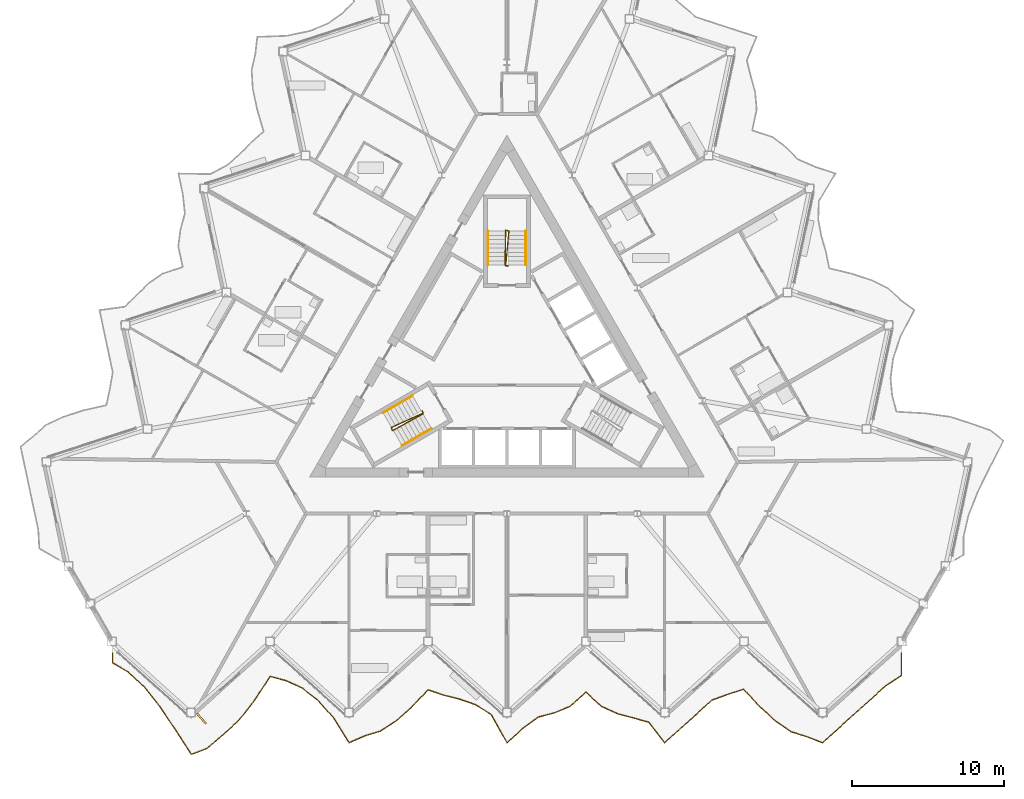
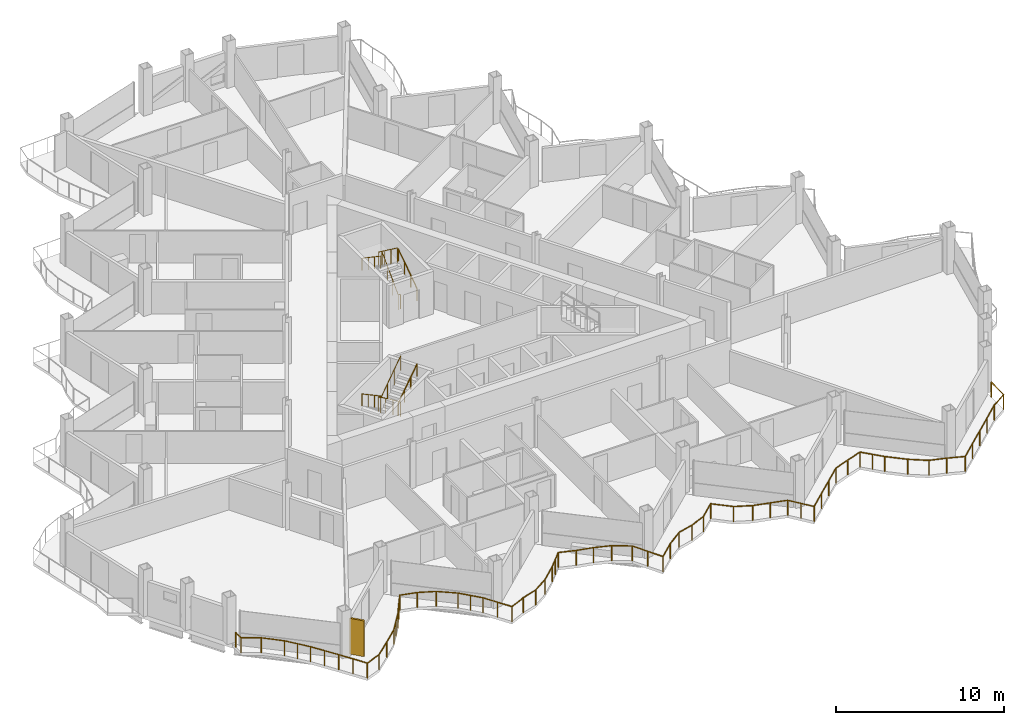
# One storey, part 22 of 26: 7 railings, 1 shading device.
"""IFC4 building model written with IfcOpenShell, lengths in metres."""

from ifc_helpers import new_model, si_unit, direction, frame, origin, origin_2d, place, context, subcontext, project, spatial, rectangle, circle, extrude, material, layer, layer_set, type_object, element, save


model = new_model("IFC4")

# Units and contexts
model_context = context("Model", 3, precision=1e-05, world=origin(), true_north=direction((0.0, 1.0)))
body_context = subcontext(model_context, "Body", "Model", "MODEL_VIEW")
ifc_project = project(units=[si_unit("LENGTHUNIT", "METRE"), si_unit("AREAUNIT", "SQUARE_METRE"), si_unit("VOLUMEUNIT", "CUBIC_METRE"), si_unit("PLANEANGLEUNIT", "RADIAN"), si_unit("MASSUNIT", "GRAM", prefix="KILO")], contexts=[model_context])

# Site, building, storey
site_placement = place(None, origin())
site = spatial("IfcSite", under=ifc_project, at=site_placement, CompositionType="ELEMENT")
building_placement = place(site_placement, origin())
building = spatial("IfcBuilding", under=site, at=building_placement, Name="Cormorant Prow Tower", CompositionType="ELEMENT")
storey_placement = place(building_placement, frame((0.0, 0.0, 322.199951171875)))
storey = spatial("IfcBuildingStorey", under=building, at=storey_placement, Name="L71", CompositionType="ELEMENT", Elevation=322.199951171875)

# Railings
ifc_material_1 = material(Name="Aluminium 6063-T6", Category="aluminium")
railing_type_1 = type_object("IfcRailingType", Name="Balcony guard 1100", PredefinedType="GUARDRAIL", material=ifc_material_1)
railing_1_placement = place(storey_placement, frame((-25.973388671875, -19.09814453125, 0.0)))
element("IfcRailing", 1, at=railing_1_placement, inside=storey, type_object=railing_type_1, Name="Balcony guard S", PredefinedType="GUARDRAIL", context=body_context, shape_type="SweptSolid", body=[
    extrude(circle(Radius=0.02392578125, at=origin_2d()), frame((0.0, 0.0, 1.076171875), z_axis=(0.0, -1.0, 0.0), x_axis=(1.0, 0.0, 0.0)), (0.0, 0.0, 1.0), 0.635986328125),
    extrude(circle(Radius=0.02392578125, at=origin_2d()), frame((0.0, -0.635986328125, 1.076171875), z_axis=(0.864404526024, -0.502796992223, 0.0), x_axis=(0.502796992223, 0.864404526024, 0.0)), (0.0, 0.0, 1.0), 1.20166015625),
    extrude(circle(Radius=0.02392578125, at=origin_2d()), frame((1.038818359375, -1.240234375, 1.076171875), z_axis=(0.734082243463, -0.679060571549, 0.0), x_axis=(0.679060571549, 0.734082243463, 0.0)), (0.0, 0.0, 1.0), 1.41552734375),
    extrude(circle(Radius=0.02392578125, at=origin_2d()), frame((2.077880859375, -2.201416015625, 1.076171875), z_axis=(0.621039347423, -0.783779387935, 0.0), x_axis=(0.783779387935, 0.621039347423, 0.0)), (0.0, 0.0, 1.0), 1.672607421875),
    extrude(circle(Radius=0.02392578125, at=origin_2d()), frame((3.11669921875, -3.512451171875, 1.076171875), z_axis=(0.55672153473, -0.830699183079, 0.0), x_axis=(0.830699183079, 0.55672153473, 0.0)), (0.0, 0.0, 1.0), 1.865966796875),
    extrude(circle(Radius=0.02392578125, at=origin_2d()), frame((4.155517578125, -5.0625, 1.076171875), z_axis=(0.542579782654, -0.840004273474, 0.0), x_axis=(0.840004273474, 0.542579782654, 0.0)), (0.0, 0.0, 1.0), 1.9150390625),
    extrude(circle(Radius=0.02392578125, at=origin_2d()), frame((5.194580078125, -6.671142578125, 1.076171875), z_axis=(0.932796459429, 0.360403614407, 0.0), x_axis=(-0.360403614407, 0.932796459429, 0.0)), (0.0, 0.0, 1.0), 1.11376953125),
    extrude(circle(Radius=0.02392578125, at=origin_2d()), frame((6.2333984375, -6.269775390625, 1.076171875), z_axis=(0.758287360731, 0.651920454162, 0.0), x_axis=(-0.651920454162, 0.758287360731, 0.0)), (0.0, 0.0, 1.0), 1.370361328125),
    extrude(circle(Radius=0.02392578125, at=origin_2d()), frame((7.2724609375, -5.37646484375, 1.076171875), z_axis=(0.743077017914, 0.669205906615, 0.0), x_axis=(-0.669205906615, 0.743077017914, 0.0)), (0.0, 0.0, 1.0), 1.39794921875),
    extrude(circle(Radius=0.02392578125, at=origin_2d()), frame((8.311279296875, -4.44091796875, 1.076171875), z_axis=(0.617097688735, 0.786886549992, 0.0), x_axis=(-0.786886549992, 0.617097688735, 0.0)), (0.0, 0.0, 1.0), 1.683837890625),
    extrude(circle(Radius=0.02392578125, at=origin_2d()), frame((9.350341796875, -3.115966796875, 1.076171875), z_axis=(0.547908224323, 0.836538449636, 0.0), x_axis=(-0.836538449636, 0.547908224323, 0.0)), (0.0, 0.0, 1.0), 1.896484375),
    extrude(circle(Radius=0.02392578125, at=origin_2d()), frame((10.389404296875, -1.529541015625, 1.076171875), z_axis=(0.96507717887, -0.261965720704, 0.0), x_axis=(0.261965720704, 0.96507717887, 0.0)), (0.0, 0.0, 1.0), 1.076416015625),
    extrude(circle(Radius=0.02392578125, at=origin_2d()), frame((11.42822265625, -1.8115234375, 1.076171875), z_axis=(0.910813015189, -0.412819150916, 0.0), x_axis=(0.412819150916, 0.910813015189, 0.0)), (0.0, 0.0, 1.0), 1.140869140625),
    extrude(circle(Radius=0.02392578125, at=origin_2d()), frame((12.46728515625, -2.282470703125, 1.076171875), z_axis=(0.793441260046, -0.608646832618, 0.0), x_axis=(0.608646832618, 0.793441260046, 0.0)), (0.0, 0.0, 1.0), 1.309326171875),
    extrude(circle(Radius=0.02392578125, at=origin_2d()), frame((13.506103515625, -3.079345703125, 1.076171875), z_axis=(0.666062428966, -0.745895998595, 0.0), x_axis=(0.745895998595, 0.666062428966, 0.0)), (0.0, 0.0, 1.0), 1.5595703125),
    extrude(circle(Radius=0.02392578125, at=origin_2d()), frame((14.544921875, -4.24267578125, 1.076171875), z_axis=(0.531772300644, -0.846887371655, 0.0), x_axis=(0.846887371655, 0.531772300644, 0.0)), (0.0, 0.0, 1.0), 1.953857421875),
    extrude(circle(Radius=0.02392578125, at=origin_2d()), frame((15.583984375, -5.8974609375, 1.076171875), z_axis=(0.915885416376, 0.401439788847, 0.0), x_axis=(-0.401439788847, 0.915885416376, 0.0)), (0.0, 0.0, 1.0), 1.13427734375),
    extrude(circle(Radius=0.02392578125, at=origin_2d()), frame((16.622802734375, -5.442138671875, 1.076171875), z_axis=(0.956630315258, 0.29130472006, 0.0), x_axis=(-0.29130472006, 0.956630315258, 0.0)), (0.0, 0.0, 1.0), 1.086181640625),
    extrude(circle(Radius=0.02392578125, at=origin_2d()), frame((17.661865234375, -5.125732421875, 1.076171875), z_axis=(0.834906973795, 0.550391083783, 0.0), x_axis=(-0.550391083783, 0.834906973795, 0.0)), (0.0, 0.0, 1.0), 1.244140625),
    extrude(circle(Radius=0.02392578125, at=origin_2d()), frame((18.70068359375, -4.44091796875, 1.076171875), z_axis=(0.743155211164, 0.669119071706, 0.0), x_axis=(-0.669119071706, 0.743155211164, 0.0)), (0.0, 0.0, 1.0), 1.398193359375),
    extrude(circle(Radius=0.02392578125, at=origin_2d()), frame((19.73974609375, -3.50537109375, 1.076171875), z_axis=(0.690691864093, 0.723149188533, 0.0), x_axis=(-0.723149188533, 0.690691864093, 0.0)), (0.0, 0.0, 1.0), 1.50439453125),
    extrude(circle(Radius=0.02392578125, at=origin_2d()), frame((20.77880859375, -2.41748046875, 1.076171875), z_axis=(0.947833420532, -0.318766069279, 0.0), x_axis=(0.318766069279, 0.947833420532, 0.0)), (0.0, 0.0, 1.0), 1.095947265625),
    extrude(circle(Radius=0.02392578125, at=origin_2d()), frame((21.817626953125, -2.766845703125, 1.076171875), z_axis=(0.970516923933, -0.241032986042, 0.0), x_axis=(0.241032986042, 0.970516923933, 0.0)), (0.0, 0.0, 1.0), 1.070556640625),
    extrude(circle(Radius=0.02392578125, at=origin_2d()), frame((22.856689453125, -3.02490234375, 1.076171875), z_axis=(0.94332138827, -0.331880638834, 0.0), x_axis=(0.331880638834, 0.94332138827, 0.0)), (0.0, 0.0, 1.0), 1.101318359375),
    extrude(circle(Radius=0.02392578125, at=origin_2d()), frame((23.8955078125, -3.390380859375, 1.076171875), z_axis=(0.851218522717, -0.524811420021, 0.0), x_axis=(0.524811420021, 0.851218522717, 0.0)), (0.0, 0.0, 1.0), 1.220703125),
    extrude(circle(Radius=0.02392578125, at=origin_2d()), frame((24.9345703125, -4.031005859375, 1.076171875), z_axis=(0.486322080627, -0.873779625475, 0.0), x_axis=(0.873779625475, 0.486322080627, 0.0)), (0.0, 0.0, 1.0), 2.135986328125),
    extrude(circle(Radius=0.02392578125, at=origin_2d()), frame((25.973388671875, -5.8974609375, 1.076171875), z_axis=(0.743077017914, 0.669205906615, 0.0), x_axis=(-0.669205906615, 0.743077017914, 0.0)), (0.0, 0.0, 1.0), 1.39794921875),
    extrude(circle(Radius=0.02392578125, at=origin_2d()), frame((27.01220703125, -4.9619140625, 1.076171875), z_axis=(0.807314654695, 0.590121214933, 0.0), x_axis=(-0.590121214933, 0.807314654695, 0.0)), (0.0, 0.0, 1.0), 1.287109375),
    extrude(circle(Radius=0.02392578125, at=origin_2d()), frame((28.05126953125, -4.202392578125, 1.076171875), z_axis=(0.968225799112, 0.250077591827, 0.0), x_axis=(-0.250077591827, 0.968225799112, 0.0)), (0.0, 0.0, 1.0), 1.072998046875),
    extrude(circle(Radius=0.02392578125, at=origin_2d()), frame((29.090087890625, -3.93408203125, 1.076171875), z_axis=(0.924407971279, 0.381405168601, 0.0), x_axis=(-0.381405168601, 0.924407971279, 0.0)), (0.0, 0.0, 1.0), 1.1240234375),
    extrude(circle(Radius=0.02392578125, at=origin_2d()), frame((30.129150390625, -3.50537109375, 1.076171875), z_axis=(0.743163863414, 0.669109461983, 0.0), x_axis=(-0.669109461983, 0.743163863414, 0.0)), (0.0, 0.0, 1.0), 1.39794921875),
    extrude(circle(Radius=0.02392578125, at=origin_2d()), frame((31.16796875, -2.570068359375, 1.076171875), z_axis=(0.74324204326, -0.669022619297, 0.0), x_axis=(0.669022619297, 0.74324204326, 0.0)), (0.0, 0.0, 1.0), 1.39794921875),
    extrude(circle(Radius=0.02392578125, at=origin_2d()), frame((32.20703125, -3.50537109375, 1.076171875), z_axis=(0.907659539898, -0.419707230855, 0.0), x_axis=(0.419707230855, 0.907659539898, 0.0)), (0.0, 0.0, 1.0), 1.144775390625),
    extrude(circle(Radius=0.02392578125, at=origin_2d()), frame((33.24609375, -3.98583984375, 1.076171875), z_axis=(0.966835704912, -0.255399138031, 0.0), x_axis=(0.255399138031, 0.966835704912, 0.0)), (0.0, 0.0, 1.0), 1.074462890625),
    extrude(circle(Radius=0.02392578125, at=origin_2d()), frame((34.284912109375, -4.26025390625, 1.076171875), z_axis=(0.962296538374, -0.272002522477, 0.0), x_axis=(0.272002522477, 0.962296538374, 0.0)), (0.0, 0.0, 1.0), 1.079833984375),
    extrude(circle(Radius=0.02392578125, at=origin_2d()), frame((35.323974609375, -4.553955078125, 1.076171875), z_axis=(0.611688866478, -0.791098432957, 0.0), x_axis=(0.791098432957, 0.611688866478, 0.0)), (0.0, 0.0, 1.0), 1.6982421875),
    extrude(circle(Radius=0.02392578125, at=origin_2d()), frame((36.36279296875, -5.8974609375, 1.076171875), z_axis=(0.743155211164, 0.669119071706, 0.0), x_axis=(-0.669119071706, 0.743155211164, 0.0)), (0.0, 0.0, 1.0), 1.398193359375),
    extrude(circle(Radius=0.02392578125, at=origin_2d()), frame((37.40185546875, -4.9619140625, 1.076171875), z_axis=(0.743077017914, 0.669205906615, 0.0), x_axis=(-0.669205906615, 0.743077017914, 0.0)), (0.0, 0.0, 1.0), 1.39794921875),
    extrude(circle(Radius=0.02392578125, at=origin_2d()), frame((38.440673828125, -4.0263671875, 1.076171875), z_axis=(0.743163863414, 0.669109461983, 0.0), x_axis=(-0.669109461983, 0.743163863414, 0.0)), (0.0, 0.0, 1.0), 1.39794921875),
    extrude(circle(Radius=0.02392578125, at=origin_2d()), frame((39.4794921875, -3.091064453125, 1.076171875), z_axis=(0.938985609291, 0.343956429719, 0.0), x_axis=(-0.343956429719, 0.938985609291, 0.0)), (0.0, 0.0, 1.0), 1.106689453125),
    extrude(circle(Radius=0.02392578125, at=origin_2d()), frame((40.5185546875, -2.71044921875, 1.076171875), z_axis=(0.951942396595, 0.306277118905, 0.0), x_axis=(-0.306277118905, 0.951942396595, 0.0)), (0.0, 0.0, 1.0), 1.09130859375),
    extrude(circle(Radius=0.02392578125, at=origin_2d()), frame((41.557373046875, -2.376220703125, 1.076171875), z_axis=(0.677142695524, -0.735851730921, 0.0), x_axis=(0.735851730921, 0.677142695524, 0.0)), (0.0, 0.0, 1.0), 1.534423828125),
    extrude(circle(Radius=0.02392578125, at=origin_2d()), frame((42.596435546875, -3.50537109375, 1.076171875), z_axis=(0.743155211164, -0.669119071706, 0.0), x_axis=(0.669119071706, 0.743155211164, 0.0)), (0.0, 0.0, 1.0), 1.398193359375),
    extrude(circle(Radius=0.02392578125, at=origin_2d()), frame((43.635498046875, -4.44091796875, 1.076171875), z_axis=(0.818734427702, -0.574172393011, 0.0), x_axis=(0.574172393011, 0.818734427702, 0.0)), (0.0, 0.0, 1.0), 1.268798828125),
    extrude(circle(Radius=0.02392578125, at=origin_2d()), frame((44.67431640625, -5.16943359375, 1.076171875), z_axis=(0.95313144312, -0.302556527175, 0.0), x_axis=(0.302556527175, 0.95313144312, 0.0)), (0.0, 0.0, 1.0), 1.090087890625),
    extrude(circle(Radius=0.02392578125, at=origin_2d()), frame((45.71337890625, -5.499267578125, 1.076171875), z_axis=(0.93375222919, -0.35792006717, 0.0), x_axis=(0.35792006717, 0.93375222919, 0.0)), (0.0, 0.0, 1.0), 1.112548828125),
    extrude(circle(Radius=0.02392578125, at=origin_2d()), frame((46.752197265625, -5.8974609375, 1.076171875), z_axis=(0.743155211164, 0.669119071706, 0.0), x_axis=(-0.669119071706, 0.743155211164, 0.0)), (0.0, 0.0, 1.0), 1.398193359375),
    extrude(circle(Radius=0.02392578125, at=origin_2d()), frame((47.791259765625, -4.9619140625, 1.076171875), z_axis=(0.743077017914, 0.669205906615, 0.0), x_axis=(-0.669205906615, 0.743077017914, 0.0)), (0.0, 0.0, 1.0), 1.39794921875),
    extrude(circle(Radius=0.02392578125, at=origin_2d()), frame((48.830078125, -4.0263671875, 1.076171875), z_axis=(0.743163863414, 0.669109461983, 0.0), x_axis=(-0.669109461983, 0.743163863414, 0.0)), (0.0, 0.0, 1.0), 1.39794921875),
    extrude(circle(Radius=0.02392578125, at=origin_2d()), frame((49.868896484375, -3.091064453125, 1.076171875), z_axis=(0.743155211164, 0.669119071706, 0.0), x_axis=(-0.669119071706, 0.743155211164, 0.0)), (0.0, 0.0, 1.0), 1.398193359375),
    extrude(circle(Radius=0.02392578125, at=origin_2d()), frame((50.907958984375, -2.155517578125, 1.076171875), z_axis=(0.835267618493, 0.54984361913, 0.0), x_axis=(-0.54984361913, 0.835267618493, 0.0)), (0.0, 0.0, 1.0), 1.24365234375),
    extrude(circle(Radius=0.02392578125, at=origin_2d()), frame((51.94677734375, -1.4716796875, 1.076171875), z_axis=(0.0, 1.0, 0.0), x_axis=(-1.0, 0.0, 0.0)), (0.0, 0.0, 1.0), 1.4716796875),
    extrude(circle(Radius=0.02099609375, at=origin_2d()), origin(), (0.0, 0.0, 1.0), 1.052001953125),
    extrude(circle(Radius=0.02099609375, at=origin_2d()), frame((0.0, -0.635986328125, 0.0)), (0.0, 0.0, 1.0), 1.052001953125),
    extrude(circle(Radius=0.02099609375, at=origin_2d()), frame((1.038818359375, -1.240234375, 0.0)), (0.0, 0.0, 1.0), 1.052001953125),
    extrude(circle(Radius=0.02099609375, at=origin_2d()), frame((2.077880859375, -2.201416015625, 0.0)), (0.0, 0.0, 1.0), 1.052001953125),
    extrude(circle(Radius=0.02099609375, at=origin_2d()), frame((2.59716796875, -2.85693359375, 0.0)), (0.0, 0.0, 1.0), 1.052001953125),
    extrude(circle(Radius=0.02099609375, at=origin_2d()), frame((3.11669921875, -3.512451171875, 0.0)), (0.0, 0.0, 1.0), 1.052001953125),
    extrude(circle(Radius=0.02099609375, at=origin_2d()), frame((3.63623046875, -4.28759765625, 0.0)), (0.0, 0.0, 1.0), 1.052001953125),
    extrude(circle(Radius=0.02099609375, at=origin_2d()), frame((4.155517578125, -5.0625, 0.0)), (0.0, 0.0, 1.0), 1.052001953125),
    extrude(circle(Radius=0.02099609375, at=origin_2d()), frame((4.675048828125, -5.86669921875, 0.0)), (0.0, 0.0, 1.0), 1.052001953125),
    extrude(circle(Radius=0.02099609375, at=origin_2d()), frame((5.194580078125, -6.671142578125, 0.0)), (0.0, 0.0, 1.0), 1.052001953125),
    extrude(circle(Radius=0.02099609375, at=origin_2d()), frame((6.2333984375, -6.269775390625, 0.0)), (0.0, 0.0, 1.0), 1.052001953125),
    extrude(circle(Radius=0.02099609375, at=origin_2d()), frame((7.2724609375, -5.37646484375, 0.0)), (0.0, 0.0, 1.0), 1.052001953125),
    extrude(circle(Radius=0.02099609375, at=origin_2d()), frame((8.311279296875, -4.44091796875, 0.0)), (0.0, 0.0, 1.0), 1.052001953125),
    extrude(circle(Radius=0.02099609375, at=origin_2d()), frame((8.830810546875, -3.7783203125, 0.0)), (0.0, 0.0, 1.0), 1.052001953125),
    extrude(circle(Radius=0.02099609375, at=origin_2d()), frame((9.350341796875, -3.115966796875, 0.0)), (0.0, 0.0, 1.0), 1.052001953125),
    extrude(circle(Radius=0.02099609375, at=origin_2d()), frame((9.869873046875, -2.32275390625, 0.0)), (0.0, 0.0, 1.0), 1.052001953125),
    extrude(circle(Radius=0.02099609375, at=origin_2d()), frame((10.389404296875, -1.529541015625, 0.0)), (0.0, 0.0, 1.0), 1.052001953125),
    extrude(circle(Radius=0.02099609375, at=origin_2d()), frame((11.42822265625, -1.8115234375, 0.0)), (0.0, 0.0, 1.0), 1.052001953125),
    extrude(circle(Radius=0.02099609375, at=origin_2d()), frame((12.46728515625, -2.282470703125, 0.0)), (0.0, 0.0, 1.0), 1.052001953125),
    extrude(circle(Radius=0.02099609375, at=origin_2d()), frame((13.506103515625, -3.079345703125, 0.0)), (0.0, 0.0, 1.0), 1.052001953125),
    extrude(circle(Radius=0.02099609375, at=origin_2d()), frame((14.025390625, -3.6611328125, 0.0)), (0.0, 0.0, 1.0), 1.052001953125),
    extrude(circle(Radius=0.02099609375, at=origin_2d()), frame((14.544921875, -4.24267578125, 0.0)), (0.0, 0.0, 1.0), 1.052001953125),
    extrude(circle(Radius=0.02099609375, at=origin_2d()), frame((15.064453125, -5.070068359375, 0.0)), (0.0, 0.0, 1.0), 1.052001953125),
    extrude(circle(Radius=0.02099609375, at=origin_2d()), frame((15.583984375, -5.8974609375, 0.0)), (0.0, 0.0, 1.0), 1.052001953125),
    extrude(circle(Radius=0.02099609375, at=origin_2d()), frame((16.622802734375, -5.442138671875, 0.0)), (0.0, 0.0, 1.0), 1.052001953125),
    extrude(circle(Radius=0.02099609375, at=origin_2d()), frame((17.661865234375, -5.125732421875, 0.0)), (0.0, 0.0, 1.0), 1.052001953125),
    extrude(circle(Radius=0.02099609375, at=origin_2d()), frame((18.70068359375, -4.44091796875, 0.0)), (0.0, 0.0, 1.0), 1.052001953125),
    extrude(circle(Radius=0.02099609375, at=origin_2d()), frame((19.73974609375, -3.50537109375, 0.0)), (0.0, 0.0, 1.0), 1.052001953125),
    extrude(circle(Radius=0.02099609375, at=origin_2d()), frame((20.25927734375, -2.96142578125, 0.0)), (0.0, 0.0, 1.0), 1.052001953125),
    extrude(circle(Radius=0.02099609375, at=origin_2d()), frame((20.77880859375, -2.41748046875, 0.0)), (0.0, 0.0, 1.0), 1.052001953125),
    extrude(circle(Radius=0.02099609375, at=origin_2d()), frame((21.817626953125, -2.766845703125, 0.0)), (0.0, 0.0, 1.0), 1.052001953125),
    extrude(circle(Radius=0.02099609375, at=origin_2d()), frame((22.856689453125, -3.02490234375, 0.0)), (0.0, 0.0, 1.0), 1.052001953125),
    extrude(circle(Radius=0.02099609375, at=origin_2d()), frame((23.8955078125, -3.390380859375, 0.0)), (0.0, 0.0, 1.0), 1.052001953125),
    extrude(circle(Radius=0.02099609375, at=origin_2d()), frame((24.9345703125, -4.031005859375, 0.0)), (0.0, 0.0, 1.0), 1.052001953125),
    extrude(circle(Radius=0.02099609375, at=origin_2d()), frame((25.4541015625, -4.96435546875, 0.0)), (0.0, 0.0, 1.0), 1.052001953125),
    extrude(circle(Radius=0.02099609375, at=origin_2d()), frame((25.973388671875, -5.8974609375, 0.0)), (0.0, 0.0, 1.0), 1.052001953125),
    extrude(circle(Radius=0.02099609375, at=origin_2d()), frame((27.01220703125, -4.9619140625, 0.0)), (0.0, 0.0, 1.0), 1.052001953125),
    extrude(circle(Radius=0.02099609375, at=origin_2d()), frame((28.05126953125, -4.202392578125, 0.0)), (0.0, 0.0, 1.0), 1.052001953125),
    extrude(circle(Radius=0.02099609375, at=origin_2d()), frame((29.090087890625, -3.93408203125, 0.0)), (0.0, 0.0, 1.0), 1.052001953125),
    extrude(circle(Radius=0.02099609375, at=origin_2d()), frame((30.129150390625, -3.50537109375, 0.0)), (0.0, 0.0, 1.0), 1.052001953125),
    extrude(circle(Radius=0.02099609375, at=origin_2d()), frame((31.16796875, -2.570068359375, 0.0)), (0.0, 0.0, 1.0), 1.052001953125),
    extrude(circle(Radius=0.02099609375, at=origin_2d()), frame((32.20703125, -3.50537109375, 0.0)), (0.0, 0.0, 1.0), 1.052001953125),
    extrude(circle(Radius=0.02099609375, at=origin_2d()), frame((33.24609375, -3.98583984375, 0.0)), (0.0, 0.0, 1.0), 1.052001953125),
    extrude(circle(Radius=0.02099609375, at=origin_2d()), frame((34.284912109375, -4.26025390625, 0.0)), (0.0, 0.0, 1.0), 1.052001953125),
    extrude(circle(Radius=0.02099609375, at=origin_2d()), frame((35.323974609375, -4.553955078125, 0.0)), (0.0, 0.0, 1.0), 1.052001953125),
    extrude(circle(Radius=0.02099609375, at=origin_2d()), frame((35.84326171875, -5.2255859375, 0.0)), (0.0, 0.0, 1.0), 1.052001953125),
    extrude(circle(Radius=0.02099609375, at=origin_2d()), frame((36.36279296875, -5.8974609375, 0.0)), (0.0, 0.0, 1.0), 1.052001953125),
    extrude(circle(Radius=0.02099609375, at=origin_2d()), frame((37.40185546875, -4.9619140625, 0.0)), (0.0, 0.0, 1.0), 1.052001953125),
    extrude(circle(Radius=0.02099609375, at=origin_2d()), frame((38.440673828125, -4.0263671875, 0.0)), (0.0, 0.0, 1.0), 1.052001953125),
    extrude(circle(Radius=0.02099609375, at=origin_2d()), frame((39.4794921875, -3.091064453125, 0.0)), (0.0, 0.0, 1.0), 1.052001953125),
    extrude(circle(Radius=0.02099609375, at=origin_2d()), frame((40.5185546875, -2.71044921875, 0.0)), (0.0, 0.0, 1.0), 1.052001953125),
    extrude(circle(Radius=0.02099609375, at=origin_2d()), frame((41.557373046875, -2.376220703125, 0.0)), (0.0, 0.0, 1.0), 1.052001953125),
    extrude(circle(Radius=0.02099609375, at=origin_2d()), frame((42.076904296875, -2.94091796875, 0.0)), (0.0, 0.0, 1.0), 1.052001953125),
    extrude(circle(Radius=0.02099609375, at=origin_2d()), frame((42.596435546875, -3.50537109375, 0.0)), (0.0, 0.0, 1.0), 1.052001953125),
    extrude(circle(Radius=0.02099609375, at=origin_2d()), frame((43.635498046875, -4.44091796875, 0.0)), (0.0, 0.0, 1.0), 1.052001953125),
    extrude(circle(Radius=0.02099609375, at=origin_2d()), frame((44.67431640625, -5.16943359375, 0.0)), (0.0, 0.0, 1.0), 1.052001953125),
    extrude(circle(Radius=0.02099609375, at=origin_2d()), frame((45.71337890625, -5.499267578125, 0.0)), (0.0, 0.0, 1.0), 1.052001953125),
    extrude(circle(Radius=0.02099609375, at=origin_2d()), frame((46.752197265625, -5.8974609375, 0.0)), (0.0, 0.0, 1.0), 1.052001953125),
    extrude(circle(Radius=0.02099609375, at=origin_2d()), frame((47.791259765625, -4.9619140625, 0.0)), (0.0, 0.0, 1.0), 1.052001953125),
    extrude(circle(Radius=0.02099609375, at=origin_2d()), frame((48.830078125, -4.0263671875, 0.0)), (0.0, 0.0, 1.0), 1.052001953125),
    extrude(circle(Radius=0.02099609375, at=origin_2d()), frame((49.868896484375, -3.091064453125, 0.0)), (0.0, 0.0, 1.0), 1.052001953125),
    extrude(circle(Radius=0.02099609375, at=origin_2d()), frame((50.907958984375, -2.155517578125, 0.0)), (0.0, 0.0, 1.0), 1.052001953125),
    extrude(circle(Radius=0.02099609375, at=origin_2d()), frame((51.94677734375, -1.4716796875, 0.0)), (0.0, 0.0, 1.0), 1.052001953125),
    extrude(circle(Radius=0.02099609375, at=origin_2d()), frame((51.94677734375, 0.0, 0.0)), (0.0, 0.0, 1.0), 1.052001953125),
])
ifc_material_2 = material(Name="Stainless steel", Category="steel")
railing_type_2 = type_object("IfcRailingType", Name="Stair guard 1100", PredefinedType="GUARDRAIL", material=ifc_material_2)
railing_2_placement = place(storey_placement, frame((-5.585205078125, -3.137939453125, 0.0)))
element("IfcRailing", 2, at=railing_2_placement, inside=storey, type_object=railing_type_2, Name="L71 ST1 stair guard 1", PredefinedType="GUARDRAIL", context=body_context, shape_type="SweptSolid", body=[
    extrude(circle(Radius=0.02392578125, at=origin_2d()), frame((0.0, 0.0, 1.076171875), z_axis=(0.501036270542, -0.865426285481, 0.0), x_axis=(0.865426285481, 0.501036270542, 0.0)), (0.0, 0.0, 1.0), 0.150146484375),
    extrude(circle(Radius=0.02392578125, at=origin_2d()), frame((0.0751953125, -0.1298828125, 1.076171875), z_axis=(-0.728641035543, -0.339941399566, 0.594577233152), x_axis=(0.422792438952, -0.906226546491, 0.0)), (0.0, 0.0, 1.0), 2.859130859375),
    extrude(circle(Radius=0.02392578125, at=origin_2d()), frame((-2.008056640625, -1.101806640625, 2.77587890625), z_axis=(0.275034262293, -0.961434425515, 0.0), x_axis=(0.961434425515, 0.275034262293, 0.0)), (0.0, 0.0, 1.0), 0.2060546875),
    extrude(circle(Radius=0.02392578125, at=origin_2d()), frame((-1.951416015625, -1.2998046875, 2.77587890625), z_axis=(0.704022539576, 0.386159700774, 0.596014219014), x_axis=(-0.480911908544, 0.87676891837, 0.0)), (0.0, 0.0, 1.0), 2.8525390625),
    extrude(circle(Radius=0.02099609375, at=origin_2d()), origin(), (0.0, 0.0, 1.0), 1.052001953125),
    extrude(circle(Radius=0.02099609375, at=origin_2d()), frame((0.0751953125, -0.1298828125, 0.0)), (0.0, 0.0, 1.0), 1.052001953125),
    extrude(circle(Radius=0.02099609375, at=origin_2d()), frame((-0.619140625, -0.453857421875, 0.566650390625)), (0.0, 0.0, 1.0), 1.052001953125),
    extrude(circle(Radius=0.02099609375, at=origin_2d()), frame((-1.313720703125, -0.77783203125, 1.13330078125)), (0.0, 0.0, 1.0), 1.052001953125),
    extrude(circle(Radius=0.02099609375, at=origin_2d()), frame((-2.008056640625, -1.101806640625, 1.699951171875)), (0.0, 0.0, 1.0), 1.052001953125),
    extrude(circle(Radius=0.02099609375, at=origin_2d()), frame((-1.951416015625, -1.2998046875, 1.699951171875)), (0.0, 0.0, 1.0), 1.052001953125),
    extrude(circle(Radius=0.02099609375, at=origin_2d()), frame((-1.281982421875, -0.9326171875, 2.2666015625)), (0.0, 0.0, 1.0), 1.052001953125),
    extrude(circle(Radius=0.02099609375, at=origin_2d()), frame((-0.612548828125, -0.5654296875, 2.83349609375)), (0.0, 0.0, 1.0), 1.052001953125),
    extrude(circle(Radius=0.02099609375, at=origin_2d()), frame((0.056884765625, -0.1982421875, 3.400146484375)), (0.0, 0.0, 1.0), 1.052001953125),
])
railing_3_placement = place(storey_placement, frame((0.074951171875, 6.40576171875, 0.0)))
element("IfcRailing", 3, at=railing_3_placement, inside=storey, type_object=railing_type_2, Name="L71 ST3 stair guard 1", PredefinedType="GUARDRAIL", context=body_context, shape_type="SweptSolid", body=[
    extrude(circle(Radius=0.02392578125, at=origin_2d()), frame((0.0, 0.0, 1.076171875), z_axis=(-1.0, 0.0, 0.0), x_axis=(0.0, -1.0, 0.0)), (0.0, 0.0, 1.0), 0.14990234375),
    extrude(circle(Radius=0.02392578125, at=origin_2d()), frame((-0.14990234375, 0.0, 1.076171875), z_axis=(0.069936542308, 0.800982621307, 0.594588698525), x_axis=(-0.996209839609, 0.086982500921, 0.0)), (0.0, 0.0, 1.0), 2.859130859375),
    extrude(circle(Radius=0.02392578125, at=origin_2d()), frame((0.050048828125, 2.2900390625, 2.77587890625), z_axis=(-0.970072785993, 0.242814311512, 0.0), x_axis=(-0.242814311512, -0.970072785993, 0.0)), (0.0, 0.0, 1.0), 0.2060546875),
    extrude(circle(Radius=0.02392578125, at=origin_2d()), frame((-0.14990234375, 2.340087890625, 2.77587890625), z_axis=(-0.017544855785, -0.802784132979, 0.596011588706), x_axis=(0.999761264773, -0.0218497931, 0.0)), (0.0, 0.0, 1.0), 2.8525390625),
    extrude(circle(Radius=0.02099609375, at=origin_2d()), origin(), (0.0, 0.0, 1.0), 1.052001953125),
    extrude(circle(Radius=0.02099609375, at=origin_2d()), frame((-0.14990234375, 0.0, 0.0)), (0.0, 0.0, 1.0), 1.052001953125),
    extrude(circle(Radius=0.02099609375, at=origin_2d()), frame((-0.083251953125, 0.763427734375, 0.566650390625)), (0.0, 0.0, 1.0), 1.052001953125),
    extrude(circle(Radius=0.02099609375, at=origin_2d()), frame((-0.0166015625, 1.526611328125, 1.13330078125)), (0.0, 0.0, 1.0), 1.052001953125),
    extrude(circle(Radius=0.02099609375, at=origin_2d()), frame((0.050048828125, 2.2900390625, 1.699951171875)), (0.0, 0.0, 1.0), 1.052001953125),
    extrude(circle(Radius=0.02099609375, at=origin_2d()), frame((-0.14990234375, 2.340087890625, 1.699951171875)), (0.0, 0.0, 1.0), 1.052001953125),
    extrude(circle(Radius=0.02099609375, at=origin_2d()), frame((-0.16650390625, 1.57666015625, 2.2666015625)), (0.0, 0.0, 1.0), 1.052001953125),
    extrude(circle(Radius=0.02099609375, at=origin_2d()), frame((-0.183349609375, 0.8134765625, 2.83349609375)), (0.0, 0.0, 1.0), 1.052001953125),
    extrude(circle(Radius=0.02099609375, at=origin_2d()), frame((-0.199951171875, 0.050048828125, 3.400146484375)), (0.0, 0.0, 1.0), 1.052001953125),
])
ifc_material_3 = material(Name="Stainless steel", Category="steel")
railing_type_3 = type_object("IfcRailingType", Name="Stair handrail 900", PredefinedType="HANDRAIL", material=ifc_material_3)
railing_4_placement = place(storey_placement, frame((-6.212890625, -2.150634765625, 0.18896484375)))
element("IfcRailing", 4, at=railing_4_placement, inside=storey, type_object=railing_type_3, Name="L71 ST1 stair handrail 1", PredefinedType="HANDRAIL", context=body_context, shape_type="SweptSolid", body=[
    extrude(circle(Radius=0.02392578125, at=origin_2d()), frame((0.0, 0.0, 0.8759765625), z_axis=(-0.717976596433, -0.414467486514, 0.559219375198), x_axis=(0.49994888933, -0.866054910533, 0.0)), (0.0, 0.0, 1.0), 2.701904296875),
    extrude(circle(Radius=0.02099609375, at=origin_2d()), origin(), (0.0, 0.0, 1.0), 0.851806640625),
    extrude(circle(Radius=0.02099609375, at=origin_2d()), frame((-0.646728515625, -0.373291015625, 0.503662109375)), (0.0, 0.0, 1.0), 0.851806640625),
    extrude(circle(Radius=0.02099609375, at=origin_2d()), frame((-1.293212890625, -0.74658203125, 1.00732421875)), (0.0, 0.0, 1.0), 0.851806640625),
    extrude(circle(Radius=0.02099609375, at=origin_2d()), frame((-1.93994140625, -1.119873046875, 1.510986328125)), (0.0, 0.0, 1.0), 0.851806640625),
])
railing_5_placement = place(storey_placement, frame((-6.90869140625, -5.42529296875, 1.888916015625)))
element("IfcRailing", 5, at=railing_5_placement, inside=storey, type_object=railing_type_3, Name="L71 ST1 stair handrail 2", PredefinedType="HANDRAIL", context=body_context, shape_type="SweptSolid", body=[
    extrude(circle(Radius=0.02392578125, at=origin_2d()), frame((0.0, 0.0, 0.8759765625), z_axis=(0.717869644322, 0.414548260308, 0.559296802813), x_axis=(-0.500077830873, 0.865980463445, 0.0)), (0.0, 0.0, 1.0), 2.701904296875),
    extrude(circle(Radius=0.02099609375, at=origin_2d()), origin(), (0.0, 0.0, 1.0), 0.851806640625),
    extrude(circle(Radius=0.02099609375, at=origin_2d()), frame((0.646484375, 0.373291015625, 0.503662109375)), (0.0, 0.0, 1.0), 0.851806640625),
    extrude(circle(Radius=0.02099609375, at=origin_2d()), frame((1.293212890625, 0.746826171875, 1.007568359375)), (0.0, 0.0, 1.0), 0.851806640625),
    extrude(circle(Radius=0.02099609375, at=origin_2d()), frame((1.939697265625, 1.1201171875, 1.51123046875)), (0.0, 0.0, 1.0), 0.851806640625),
])
railing_6_placement = place(storey_placement, frame((1.243896484375, 6.455810546875, 0.18896484375)))
element("IfcRailing", 6, at=railing_6_placement, inside=storey, type_object=railing_type_3, Name="L71 ST3 stair handrail 1", PredefinedType="HANDRAIL", context=body_context, shape_type="SweptSolid", body=[
    extrude(circle(Radius=0.02392578125, at=origin_2d()), frame((0.0, 0.0, 0.8759765625), z_axis=(0.0, 0.829021472004, 0.559216772778), x_axis=(-1.0, 0.0, 0.0)), (0.0, 0.0, 1.0), 2.701904296875),
    extrude(circle(Radius=0.02099609375, at=origin_2d()), origin(), (0.0, 0.0, 1.0), 0.851806640625),
    extrude(circle(Radius=0.02099609375, at=origin_2d()), frame((0.0, 0.74658203125, 0.503662109375)), (0.0, 0.0, 1.0), 0.851806640625),
    extrude(circle(Radius=0.02099609375, at=origin_2d()), frame((0.0, 1.493408203125, 1.00732421875)), (0.0, 0.0, 1.0), 0.851806640625),
    extrude(circle(Radius=0.02099609375, at=origin_2d()), frame((0.0, 2.239990234375, 1.510986328125)), (0.0, 0.0, 1.0), 0.851806640625),
])
railing_7_placement = place(storey_placement, frame((-1.243896484375, 8.69580078125, 1.888916015625)))
element("IfcRailing", 7, at=railing_7_placement, inside=storey, type_object=railing_type_3, Name="L71 ST3 stair handrail 2", PredefinedType="HANDRAIL", context=body_context, shape_type="SweptSolid", body=[
    extrude(circle(Radius=0.02392578125, at=origin_2d()), frame((0.0, 0.0, 0.8759765625), z_axis=(0.0, -0.828979582247, 0.559278868023), x_axis=(1.0, 0.0, 0.0)), (0.0, 0.0, 1.0), 2.7021484375),
    extrude(circle(Radius=0.02099609375, at=origin_2d()), origin(), (0.0, 0.0, 1.0), 0.851806640625),
    extrude(circle(Radius=0.02099609375, at=origin_2d()), frame((0.0, -0.74658203125, 0.503662109375)), (0.0, 0.0, 1.0), 0.851806640625),
    extrude(circle(Radius=0.02099609375, at=origin_2d()), frame((0.0, -1.493408203125, 1.007568359375)), (0.0, 0.0, 1.0), 0.851806640625),
    extrude(circle(Radius=0.02099609375, at=origin_2d()), frame((0.0, -2.239990234375, 1.51123046875)), (0.0, 0.0, 1.0), 0.851806640625),
])

# Shading device
ifc_material_4 = material(Name="Terracotta", Category="masonry")
ifc_layer = layer(ifc_material_4, 0.1201171875)
ifc_layer_set = layer_set([ifc_layer], Name="Terracotta")
shading_device_type = type_object("IfcShadingDeviceType", Name="Terracotta baguette fin 120x900x2600", PredefinedType="USERDEFINED", material=ifc_layer_set)
shading_device_placement = place(storey_placement, frame((-20.110595703125, -23.3994140625, 0.0), z_axis=(0.0, 0.0, 1.0), x_axis=(0.74314478215, 0.669130654479, 0.0)))
element("IfcShadingDevice", 8, at=shading_device_placement, inside=storey, type_object=shading_device_type, Name="Baguette fin S01", ObjectType="BAGUETTE", PredefinedType="USERDEFINED", context=body_context, shape_type="SweptSolid", body=[
    extrude(rectangle(XDim=0.1201171875, YDim=0.89990234375, at=origin_2d()), origin(), (0.0, 0.0, 1.0), 2.60009765625),
])

save(model, "model.ifc")
